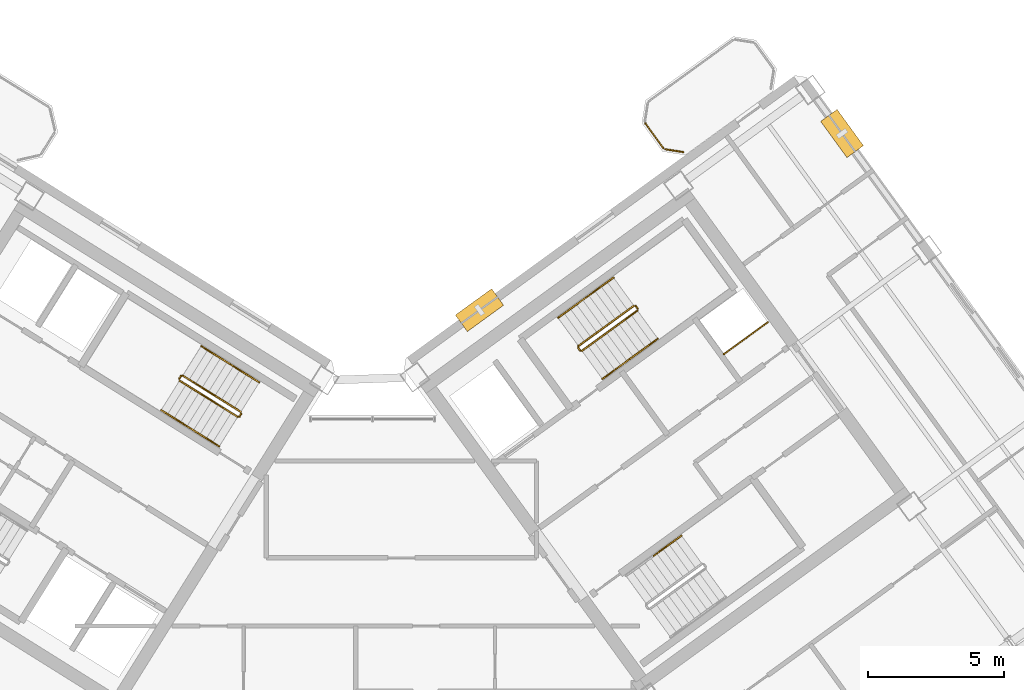
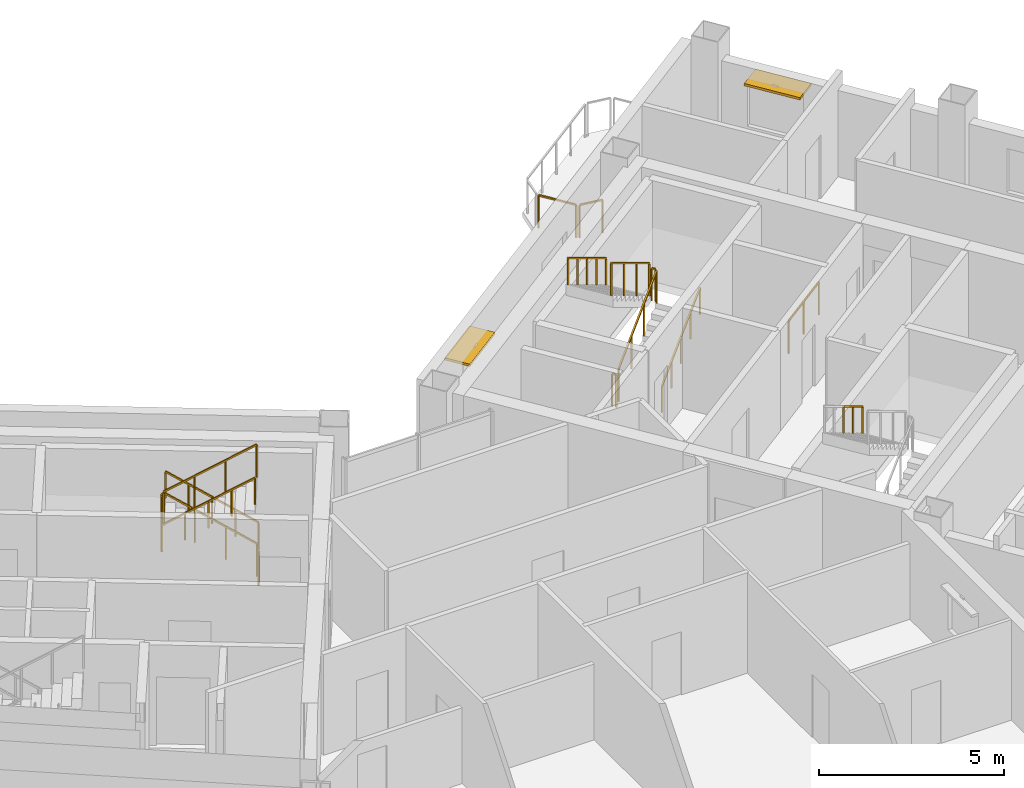
# One storey, part 26 of 27: 20 railings, 2 shading devices.
"""IFC4 building model written with IfcOpenShell, lengths in metres."""

import ifcopenshell
import ifcopenshell.guid

model = None  # the IFC model being written
_history = None  # IfcOwnerHistory: only IFC2X3 demands one
_inside = {}  # id of a spatial element -> (the spatial element, [elements in it])
_under = {}  # id of a project, library or spatial element -> (it, [spatial elements below it])
_declared = {}  # id of a project -> (the project, [libraries it declares])
_typed = {}  # id of a type object -> (the type object, [elements of that type])
_made_of = {}  # id of a material, layer set ... -> (it, [elements and type objects made of it])


def new_model(schema):
    """Start an empty IFC model of exactly this schema.

    Asked for "IFC4X3", IfcOpenShell would pick the latest addendum, in which some entities
    have other attributes; the version numbers below select the first issue.
    IFC2X3 requires an IfcOwnerHistory on every rooted entity: one is made here for all.
    """
    global model, _history
    if schema == "IFC4X3":
        model = ifcopenshell.file(schema_version=(4, 3, 0, 0))
    else:
        model = ifcopenshell.file(schema=schema)
    _inside.clear()
    _under.clear()
    _declared.clear()
    _typed.clear()
    _made_of.clear()
    _history = None
    if model.schema == "IFC2X3":
        org = make("IfcOrganization", Name="unknown")
        user = make(
            "IfcPersonAndOrganization",
            ThePerson=make("IfcPerson", FamilyName="unknown"),
            TheOrganization=org,
        )
        app = make(
            "IfcApplication",
            ApplicationDeveloper=org,
            Version="unknown",
            ApplicationFullName="unknown",
            ApplicationIdentifier="unknown",
        )
        _history = make(
            "IfcOwnerHistory",
            OwningUser=user,
            OwningApplication=app,
            ChangeAction="ADDED",
            CreationDate=0,
        )
    return model


def make(cls, **values):
    """One entity of the class cls with the attributes given. An attribute that is None is left unset."""
    return model.create_entity(
        cls, **{name: value for name, value in values.items() if value is not None}
    )


def rooted(cls, **values):
    """An entity with a GlobalId (a new one), such as an element, a storey or a relation."""
    return make(cls, GlobalId=ifcopenshell.guid.new(), OwnerHistory=_history, **values)


def si_unit(unit_type, name, prefix=None):
    """IfcSIUnit, for example si_unit("LENGTHUNIT", "METRE", prefix="MILLI")."""
    return make("IfcSIUnit", UnitType=unit_type, Prefix=prefix, Name=name)


def assignment(units):
    """IfcUnitAssignment: the units of a project."""
    return None if units is None else make("IfcUnitAssignment", Units=units)


def point(xyz):
    """IfcCartesianPoint."""
    return None if xyz is None else make("IfcCartesianPoint", Coordinates=xyz)


def direction(xyz):
    """IfcDirection."""
    return None if xyz is None else make("IfcDirection", DirectionRatios=xyz)


def frame(location, z_axis=None, x_axis=None):
    """IfcAxis2Placement3D, a coordinate frame: its origin and axes. An axis left out is left unset."""
    return make(
        "IfcAxis2Placement3D",
        Location=point(location),
        Axis=direction(z_axis),
        RefDirection=direction(x_axis),
    )


def frame_2d(location, x_axis=None):
    """IfcAxis2Placement2D, a coordinate frame in the plane: its origin and x axis."""
    return make(
        "IfcAxis2Placement2D", Location=point(location), RefDirection=direction(x_axis)
    )


def origin():
    """The frame at (0, 0, 0) with its axes left unset."""
    return frame((0.0, 0.0, 0.0))


def origin_2d():
    """The frame at (0, 0) in the plane with its x axis left unset."""
    return frame_2d((0.0, 0.0))


def place(relative_to, where):
    """IfcLocalPlacement: puts the frame where relative to a parent placement (None: the world)."""
    return make(
        "IfcLocalPlacement", PlacementRelTo=relative_to, RelativePlacement=where
    )


def context(
    kind, dimensions, precision=None, world=None, true_north=None, identifier=None
):
    """IfcGeometricRepresentationContext, for example the 3D "Model" context."""
    return make(
        "IfcGeometricRepresentationContext",
        ContextIdentifier=identifier,
        ContextType=kind,
        CoordinateSpaceDimension=dimensions,
        Precision=precision,
        WorldCoordinateSystem=world,
        TrueNorth=true_north,
    )


def subcontext(parent, identifier, kind, view, scale=None):
    """IfcGeometricRepresentationSubContext, for example "Body" below "Model"."""
    return make(
        "IfcGeometricRepresentationSubContext",
        ContextIdentifier=identifier,
        ContextType=kind,
        ParentContext=parent,
        TargetScale=scale,
        TargetView=view,
    )


def project(units=None, contexts=None):
    """IfcProject with its units and contexts."""
    return rooted(
        "IfcProject",
        Name="project",
        RepresentationContexts=contexts,
        UnitsInContext=assignment(units),
    )


def spatial(cls, under=None, at=None, **own):
    """A site, building, storey or space (cls), placed at a placement, below another one or the project."""
    s = rooted(cls, ObjectPlacement=at, **own)
    if under is not None:
        _under.setdefault(under.id(), (under, []))[1].append(s)
    return s


def profile(cls, at=None, kind="AREA", **sizes):
    """A parametric profile (cls). Its sizes go by their IFC names, for example OverallWidth=200.0."""
    return make(cls, ProfileType=kind, Position=at, **sizes)


def rectangle(**sizes):
    """IfcRectangleProfileDef."""
    return profile("IfcRectangleProfileDef", **sizes)


def extrude(swept, where, along, depth):
    """IfcExtrudedAreaSolid: the profile swept, set in the frame where, extruded along a direction by depth."""
    return make(
        "IfcExtrudedAreaSolid",
        SweptArea=swept,
        Position=where,
        ExtrudedDirection=direction(along),
        Depth=depth,
    )


def shape(context_of_items, identifier, shape_type, items):
    """IfcShapeRepresentation: the items that make up one representation, for example the "Body"."""
    return make(
        "IfcShapeRepresentation",
        ContextOfItems=context_of_items,
        RepresentationIdentifier=identifier,
        RepresentationType=shape_type,
        Items=items,
    )


def source(mapping_origin, context_of_items, identifier, shape_type, items):
    """IfcRepresentationMap: a shape defined once, which mapped items show again and again."""
    return make(
        "IfcRepresentationMap",
        MappingOrigin=mapping_origin,
        MappedRepresentation=shape(context_of_items, identifier, shape_type, items),
    )


def transform(
    local_origin,
    x_axis=None,
    y_axis=None,
    z_axis=None,
    scale=None,
    scale2=None,
    scale3=None,
    uniform=True,
):
    """IfcCartesianTransformationOperator3D, or its non-uniform kind. x_axis, y_axis, z_axis: its Axis1, 2, 3."""
    if uniform:
        return make(
            "IfcCartesianTransformationOperator3D",
            Axis1=direction(x_axis),
            Axis2=direction(y_axis),
            LocalOrigin=point(local_origin),
            Scale=scale,
            Axis3=direction(z_axis),
        )
    return make(
        "IfcCartesianTransformationOperator3DnonUniform",
        Axis1=direction(x_axis),
        Axis2=direction(y_axis),
        LocalOrigin=point(local_origin),
        Scale=scale,
        Axis3=direction(z_axis),
        Scale2=scale2,
        Scale3=scale3,
    )


def mapped(mapping_source, mapping_target):
    """IfcMappedItem: shows the shape of a source again, moved by a transform."""
    return make(
        "IfcMappedItem", MappingSource=mapping_source, MappingTarget=mapping_target
    )


def material(Name=None, Category=None):
    """IfcMaterial."""
    return make("IfcMaterial", Name=Name, Category=Category)


def layer(
    of_material, thickness, ventilated=None, Name=None, Category=None, Priority=None
):
    """IfcMaterialLayer: one layer of a wall or slab, of a material (None: an air gap)."""
    return make(
        "IfcMaterialLayer",
        Material=of_material,
        LayerThickness=thickness,
        IsVentilated=ventilated,
        Name=Name,
        Category=Category,
        Priority=Priority,
    )


def layer_set(layers, Name=None):
    """IfcMaterialLayerSet."""
    return make("IfcMaterialLayerSet", MaterialLayers=layers, LayerSetName=Name)


def made_of(thing, what):
    """Note that an element or type object is made of a material, layer set ...; save() writes the relation."""
    if what is not None:
        _made_of.setdefault(what.id(), (what, []))[1].append(thing)
    return thing


def type_object(cls, material=None, **own):
    """A type object (cls), such as IfcWallType, which elements share."""
    return made_of(rooted(cls, **own), material)


def element(
    cls,
    number,
    at=None,
    inside=None,
    cuts=None,
    type_object=None,
    material=None,
    context=None,
    identifier="Body",
    shape_type=None,
    held_by="IfcProductDefinitionShape",
    body=None,
    shapes=None,
    **own,
):
    """One element of the class cls, such as IfcWall. Its Tag is "e" and its number.

    at: its placement. inside: the storey or other place that contains it. cuts: it is an
    opening in that element (IfcRelVoidsElement). A single representation is given by context,
    identifier, shape_type and body (its items); several are given by shapes. held_by: the class
    of the entity that holds the representations. save() writes the other relations.
    """
    e = rooted(cls, Tag="e%d" % number, ObjectPlacement=at, **own)
    if body is not None:
        shapes = [shape(context, identifier, shape_type, body)]
    if shapes is not None:
        e.Representation = make(held_by, Representations=shapes)
    if inside is not None:
        _inside.setdefault(inside.id(), (inside, []))[1].append(e)
    if cuts is not None:
        rooted(
            "IfcRelVoidsElement", RelatingBuildingElement=cuts, RelatedOpeningElement=e
        )
    if type_object is not None:
        _typed.setdefault(type_object.id(), (type_object, []))[1].append(e)
    return made_of(e, material)


def aggregate(whole, parts):
    """IfcRelAggregates: a whole, such as a stair, and the parts it consists of."""
    return rooted("IfcRelAggregates", RelatingObject=whole, RelatedObjects=parts)


def save(model, path):
    """Write the relations noted so far, then the file.

    IfcRelAggregates (storeys below a building ...), IfcRelContainedInSpatialStructure (elements
    in a storey), IfcRelDefinesByType, IfcRelAssociatesMaterial and IfcRelDeclares: one each for
    every whole, place, type object, material and project.
    """
    for whole, parts in _under.values():
        aggregate(whole, parts)
    for where, things in _inside.values():
        rooted(
            "IfcRelContainedInSpatialStructure",
            RelatedElements=things,
            RelatingStructure=where,
        )
    for kind, things in _typed.values():
        rooted("IfcRelDefinesByType", RelatedObjects=things, RelatingType=kind)
    for what, things in _made_of.values():
        rooted("IfcRelAssociatesMaterial", RelatedObjects=things, RelatingMaterial=what)
    for by, libraries in _declared.values():
        rooted("IfcRelDeclares", RelatingContext=by, RelatedDefinitions=libraries)
    model.write(path)


model = new_model("IFC4")

# Units and contexts
model_context = context("Model", 3, precision=1e-05, world=origin(), true_north=direction((0.0, 1.0)))
body_context = subcontext(model_context, "Body", "Model", "MODEL_VIEW")
ifc_project = project(units=[si_unit("LENGTHUNIT", "METRE"), si_unit("AREAUNIT", "SQUARE_METRE"), si_unit("VOLUMEUNIT", "CUBIC_METRE"), si_unit("PLANEANGLEUNIT", "RADIAN"), si_unit("MASSUNIT", "GRAM", prefix="KILO")], contexts=[model_context])

# Site, building, storey
site_placement = place(None, origin())
site = spatial("IfcSite", under=ifc_project, at=site_placement, CompositionType="ELEMENT")
building_placement = place(site_placement, origin())
building = spatial("IfcBuilding", under=site, at=building_placement, Name="Tlacorven Tower", CompositionType="ELEMENT")
storey_placement = place(building_placement, frame((0.0, 0.0, 242.10009765625)))
storey = spatial("IfcBuildingStorey", under=building, at=storey_placement, Name="L61", CompositionType="ELEMENT", Elevation=242.10009765625)

# Railings
ifc_material_1 = material(Name="Aluminium and painted steel balustrade", Category="steel")
railing_type_1 = type_object("IfcRailingType", Name="RL-GRD-1100", PredefinedType="GUARDRAIL", material=ifc_material_1)
shared_shape_1 = source(origin(), body_context, "Body", "SweptSolid", [
    extrude(rectangle(XDim=0.048095703125, YDim=0.048095703125, at=origin_2d()), frame((0.0, 0.0, 1.076171875), z_axis=(0.808947177504, 0.587881334972, 0.0), x_axis=(-0.587881334972, 0.808947177504, 0.0)), (0.0, 0.0, 1.0), 2.0),
    extrude(rectangle(XDim=0.0419921875, YDim=0.0419921875, at=origin_2d()), origin(), (0.0, 0.0, 1.0), 1.052001953125),
    extrude(rectangle(XDim=0.0419921875, YDim=0.0419921875, at=origin_2d()), frame((0.80908203125, 0.587890625, 0.0)), (0.0, 0.0, 1.0), 1.052001953125),
    extrude(rectangle(XDim=0.0419921875, YDim=0.0419921875, at=origin_2d()), frame((1.617919921875, 1.17578125, 0.0)), (0.0, 0.0, 1.0), 1.052001953125),
])
railing_1_placement = place(storey_placement, frame((55.506103515625, 25.438232421875, 0.0)))
element("IfcRailing", 1, at=railing_1_placement, inside=storey, type_object=railing_type_1, Name="L61 Electrical Riser E Shaft Guard 1", PredefinedType="GUARDRAIL", context=body_context, shape_type="MappedRepresentation", body=[
    mapped(shared_shape_1, transform((0.0, 0.0, 0.0), scale=1.0)),
])
railing_type_2 = type_object("IfcRailingType", Name="RL-BAL-1100", PredefinedType="BALUSTRADE", material=ifc_material_1)
shared_shape_2 = source(origin(), body_context, "Body", "SweptSolid", [
    extrude(rectangle(XDim=0.048095703125, YDim=0.048095703125, at=origin_2d()), frame((0.0, 0.0, 1.076171875), z_axis=(-0.987718317463, 0.156245081039, 0.0), x_axis=(-0.156245081039, -0.987718317463, 0.0)), (0.0, 0.0, 1.0), 0.66552734375),
    extrude(rectangle(XDim=0.0419921875, YDim=0.0419921875, at=origin_2d()), origin(), (0.0, 0.0, 1.0), 1.052001953125),
    extrude(rectangle(XDim=0.0419921875, YDim=0.0419921875, at=origin_2d()), frame((-0.657470703125, 0.10400390625, 0.0)), (0.0, 0.0, 1.0), 1.052001953125),
])
railing_2_placement = place(storey_placement, frame((54.00341796875, 32.8759765625, 0.0)))
element("IfcRailing", 2, at=railing_2_placement, inside=storey, type_object=railing_type_2, Name="BAL-L61-E-IN Guard Railing 1", PredefinedType="BALUSTRADE", context=body_context, shape_type="MappedRepresentation", body=[
    mapped(shared_shape_2, transform((0.0, 0.0, 0.0), scale=1.0)),
])
shared_shape_3 = source(origin(), body_context, "Body", "SweptSolid", [
    extrude(rectangle(XDim=0.048095703125, YDim=0.048095703125, at=origin_2d()), frame((0.0, 0.0, 1.076171875), z_axis=(-0.587740817519, 0.809049276263, 0.0), x_axis=(-0.809049276263, -0.587740817519, 0.0)), (0.0, 0.0, 1.0), 1.112060546875),
    extrude(rectangle(XDim=0.0419921875, YDim=0.0419921875, at=origin_2d()), origin(), (0.0, 0.0, 1.0), 1.052001953125),
    extrude(rectangle(XDim=0.0419921875, YDim=0.0419921875, at=origin_2d()), frame((-0.653564453125, 0.899658203125, 0.0)), (0.0, 0.0, 1.0), 1.052001953125),
])
railing_3_placement = place(storey_placement, frame((53.26708984375, 33.0283203125, 0.0)))
element("IfcRailing", 3, at=railing_3_placement, inside=storey, type_object=railing_type_2, Name="BAL-L61-E-IN Guard Railing 2", PredefinedType="BALUSTRADE", context=body_context, shape_type="MappedRepresentation", body=[
    mapped(shared_shape_3, transform((0.0, 0.0, 0.0), scale=1.0)),
])

# Shading devices
ifc_material_2 = material(Name="Anodised bronze aluminium sunshade", Category="aluminium")
ifc_layer = layer(ifc_material_2, 0.080078125)
ifc_layer_set = layer_set([ifc_layer], Name="Anodised bronze aluminium sunshade")
shading_device_type = type_object("IfcShadingDeviceType", Name="SH-SUN-BRZ", PredefinedType="AWNING", material=ifc_layer_set)
shared_shape_4 = source(origin(), body_context, "Body", "SweptSolid", [
    extrude(rectangle(XDim=1.64990234375, YDim=0.75, at=origin_2d()), origin(), (0.0, 0.0, 1.0), 0.080078125),
])
for number, where, z_axis, x_axis, name in (
    (4, (46.50146484375, 27.05419921875, 2.369873046875), (0.0, 0.0, 1.0), (0.809017097486, 0.587785110372, 0.0), "L61 Solar Brise-Soleil Sunshade L61-04.1"),
    (5, (59.852783203125, 33.559326171875, 2.369873046875), (0.0, 0.0, 1.0), (0.587785363163, -0.809016913823, 0.0), "L61 Solar Brise-Soleil Sunshade L61-05.1"),
):
    element("IfcShadingDevice", number, at=place(storey_placement, frame(where, z_axis=z_axis, x_axis=x_axis)), inside=storey, type_object=shading_device_type, Name=name, PredefinedType="AWNING", context=body_context, shape_type="MappedRepresentation", body=[
        mapped(shared_shape_4, transform((0.0, 0.0, 0.0), scale=1.0)),
    ])

# Railings
shared_shape_5 = source(origin(), body_context, "Body", "SweptSolid", [
    extrude(rectangle(XDim=0.048095703125, YDim=0.048095703125, at=origin_2d()), frame((0.0, 0.0, 1.076171875), z_axis=(-0.530546985787, -0.847655529016, 0.0), x_axis=(0.847655529016, -0.530546985787, 0.0)), (0.0, 0.0, 1.0), 0.1201171875),
    extrude(rectangle(XDim=0.0419921875, YDim=0.0419921875, at=origin_2d()), origin(), (0.0, 0.0, 1.0), 1.052001953125),
    extrude(rectangle(XDim=0.0419921875, YDim=0.0419921875, at=origin_2d()), frame((-0.063720703125, -0.101806640625, 0.0)), (0.0, 0.0, 1.0), 1.052001953125),
])
railing_4_placement = place(storey_placement, frame((37.728271484375, 23.24072265625, 0.0)))
element("IfcRailing", 6, at=railing_4_placement, inside=storey, type_object=railing_type_1, Name="L61 ST-W2 stair guard 4", PredefinedType="GUARDRAIL", context=body_context, shape_type="MappedRepresentation", body=[
    mapped(shared_shape_5, transform((0.0, 0.0, 0.0), scale=1.0)),
])
railing_type_3 = type_object("IfcRailingType", Name="RL-HND-0900", PredefinedType="HANDRAIL", material=ifc_material_1)
shared_shape_6 = source(origin(), body_context, "Body", "SweptSolid", [
    extrude(rectangle(XDim=0.048095703125, YDim=0.048095703125, at=origin_2d()), frame((0.0, 0.0, 0.8759765625), z_axis=(-0.713359751793, 0.4457479829, 0.540764828981), x_axis=(-0.529911857636, -0.848052724267, 0.0)), (0.0, 0.0, 1.0), 1.498046875),
    extrude(rectangle(XDim=0.0419921875, YDim=0.0419921875, at=origin_2d()), origin(), (0.0, 0.0, 1.0), 0.851806640625),
    extrude(rectangle(XDim=0.0419921875, YDim=0.0419921875, at=origin_2d()), frame((-0.5341796875, 0.333984375, 0.405029296875)), (0.0, 0.0, 1.0), 0.851806640625),
    extrude(rectangle(XDim=0.0419921875, YDim=0.0419921875, at=origin_2d()), frame((-1.068603515625, 0.667724609375, 0.81005859375)), (0.0, 0.0, 1.0), 0.851806640625),
])
railing_5_placement = place(storey_placement, frame((38.390625, 24.39501953125, 0.179931640625)))
element("IfcRailing", 7, at=railing_5_placement, inside=storey, type_object=railing_type_3, Name="L61 ST-W2 stair handrail 1", PredefinedType="HANDRAIL", context=body_context, shape_type="MappedRepresentation", body=[
    mapped(shared_shape_6, transform((0.0, 0.0, 0.0), scale=1.0)),
])
shared_shape_7 = source(origin(), body_context, "Body", "SweptSolid", [
    extrude(rectangle(XDim=0.048095703125, YDim=0.048095703125, at=origin_2d()), frame((0.0, 0.0, 0.8759765625), z_axis=(0.713359751793, -0.4457479829, 0.540764828981), x_axis=(0.529911857636, 0.848052724267, 0.0)), (0.0, 0.0, 1.0), 1.498046875),
    extrude(rectangle(XDim=0.0419921875, YDim=0.0419921875, at=origin_2d()), origin(), (0.0, 0.0, 1.0), 0.851806640625),
    extrude(rectangle(XDim=0.0419921875, YDim=0.0419921875, at=origin_2d()), frame((0.5341796875, -0.333984375, 0.405029296875)), (0.0, 0.0, 1.0), 0.851806640625),
    extrude(rectangle(XDim=0.0419921875, YDim=0.0419921875, at=origin_2d()), frame((1.068603515625, -0.667724609375, 0.81005859375)), (0.0, 0.0, 1.0), 0.851806640625),
])
railing_6_placement = place(storey_placement, frame((35.848876953125, 22.705078125, 2.789794921875)))
element("IfcRailing", 8, at=railing_6_placement, inside=storey, type_object=railing_type_3, Name="L61 ST-W2 stair handrail 4", PredefinedType="HANDRAIL", context=body_context, shape_type="MappedRepresentation", body=[
    mapped(shared_shape_7, transform((0.0, 0.0, 0.0), scale=1.0)),
])
shared_shape_8 = source(origin(), body_context, "Body", "SweptSolid", [
    extrude(rectangle(XDim=0.048095703125, YDim=0.048095703125, at=origin_2d()), frame((0.0, 0.0, 1.076171875), z_axis=(-0.713351164325, 0.445793541512, 0.540738601085), x_axis=(-0.529955395941, -0.84802551749, 0.0)), (0.0, 0.0, 1.0), 2.99560546875),
    extrude(rectangle(XDim=0.0419921875, YDim=0.0419921875, at=origin_2d()), origin(), (0.0, 0.0, 1.0), 1.052001953125),
    extrude(rectangle(XDim=0.0419921875, YDim=0.0419921875, at=origin_2d()), frame((-0.71240234375, 0.445068359375, 0.5400390625)), (0.0, 0.0, 1.0), 1.052001953125),
    extrude(rectangle(XDim=0.0419921875, YDim=0.0419921875, at=origin_2d()), frame((-1.424560546875, 0.890380859375, 1.079833984375)), (0.0, 0.0, 1.0), 1.052001953125),
    extrude(rectangle(XDim=0.0419921875, YDim=0.0419921875, at=origin_2d()), frame((-2.136962890625, 1.33544921875, 1.619873046875)), (0.0, 0.0, 1.0), 1.052001953125),
])
railing_7_placement = place(storey_placement, frame((37.712158203125, 23.3095703125, 0.179931640625)))
element("IfcRailing", 9, at=railing_7_placement, inside=storey, type_object=railing_type_1, Name="L61 ST-W2 stair guard 1", PredefinedType="GUARDRAIL", context=body_context, shape_type="MappedRepresentation", body=[
    mapped(shared_shape_8, transform((0.0, 0.0, 0.0), scale=1.0)),
])
shared_shape_9 = source(origin(), body_context, "Body", "SweptSolid", [
    extrude(rectangle(XDim=0.048095703125, YDim=0.048095703125, at=origin_2d()), frame((0.0, 0.0, 0.8759765625), z_axis=(-0.713422621445, 0.445787267455, 0.540649494022), x_axis=(-0.529911857636, -0.848052724267, 0.0)), (0.0, 0.0, 1.0), 1.497802734375),
    extrude(rectangle(XDim=0.0419921875, YDim=0.0419921875, at=origin_2d()), origin(), (0.0, 0.0, 1.0), 0.851806640625),
    extrude(rectangle(XDim=0.0419921875, YDim=0.0419921875, at=origin_2d()), frame((-0.5341796875, 0.333984375, 0.40478515625)), (0.0, 0.0, 1.0), 0.851806640625),
    extrude(rectangle(XDim=0.0419921875, YDim=0.0419921875, at=origin_2d()), frame((-1.068603515625, 0.667724609375, 0.809814453125)), (0.0, 0.0, 1.0), 0.851806640625),
])
railing_8_placement = place(storey_placement, frame((37.322021484375, 25.062744140625, 0.989990234375)))
element("IfcRailing", 10, at=railing_8_placement, inside=storey, type_object=railing_type_3, Name="L61 ST-W2 stair handrail 2", PredefinedType="HANDRAIL", context=body_context, shape_type="MappedRepresentation", body=[
    mapped(shared_shape_9, transform((0.0, 0.0, 0.0), scale=1.0)),
])
shared_shape_10 = source(origin(), body_context, "Body", "SweptSolid", [
    extrude(rectangle(XDim=0.048095703125, YDim=0.048095703125, at=origin_2d()), frame((0.0, 0.0, 0.8759765625), z_axis=(0.713422621445, -0.445787267455, 0.540649494022), x_axis=(0.529911857636, 0.848052724267, 0.0)), (0.0, 0.0, 1.0), 1.497802734375),
    extrude(rectangle(XDim=0.0419921875, YDim=0.0419921875, at=origin_2d()), origin(), (0.0, 0.0, 1.0), 0.851806640625),
    extrude(rectangle(XDim=0.0419921875, YDim=0.0419921875, at=origin_2d()), frame((0.5341796875, -0.333984375, 0.40478515625)), (0.0, 0.0, 1.0), 0.851806640625),
    extrude(rectangle(XDim=0.0419921875, YDim=0.0419921875, at=origin_2d()), frame((1.068603515625, -0.667724609375, 0.809814453125)), (0.0, 0.0, 1.0), 0.851806640625),
])
railing_9_placement = place(storey_placement, frame((34.7802734375, 23.372802734375, 1.97998046875)))
element("IfcRailing", 11, at=railing_9_placement, inside=storey, type_object=railing_type_3, Name="L61 ST-W2 stair handrail 3", PredefinedType="HANDRAIL", context=body_context, shape_type="MappedRepresentation", body=[
    mapped(shared_shape_10, transform((0.0, 0.0, 0.0), scale=1.0)),
])
shared_shape_11 = source(origin(), body_context, "Body", "SweptSolid", [
    extrude(rectangle(XDim=0.048095703125, YDim=0.048095703125, at=origin_2d()), frame((0.0, 0.0, 1.076171875), z_axis=(-0.531462422766, -0.847081869236, 0.0), x_axis=(0.847081869236, -0.531462422766, 0.0)), (0.0, 0.0, 1.0), 0.119873046875),
    extrude(rectangle(XDim=0.0419921875, YDim=0.0419921875, at=origin_2d()), origin(), (0.0, 0.0, 1.0), 1.052001953125),
    extrude(rectangle(XDim=0.0419921875, YDim=0.0419921875, at=origin_2d()), frame((-0.063720703125, -0.1015625, 0.0)), (0.0, 0.0, 1.0), 1.052001953125),
])
railing_10_placement = place(storey_placement, frame((35.50634765625, 24.62890625, 1.7998046875)))
element("IfcRailing", 12, at=railing_10_placement, inside=storey, type_object=railing_type_1, Name="L61 ST-W2 stair guard 2", PredefinedType="GUARDRAIL", context=body_context, shape_type="MappedRepresentation", body=[
    mapped(shared_shape_11, transform((0.0, 0.0, 0.0), scale=1.0)),
])
shared_shape_12 = source(origin(), body_context, "Body", "SweptSolid", [
    extrude(rectangle(XDim=0.048095703125, YDim=0.048095703125, at=origin_2d()), frame((0.0, 0.0, 1.076171875), z_axis=(0.713417101326, -0.445702322042, 0.540726806865), x_axis=(0.52984217967, 0.848096259066, 0.0)), (0.0, 0.0, 1.0), 2.995849609375),
    extrude(rectangle(XDim=0.0419921875, YDim=0.0419921875, at=origin_2d()), origin(), (0.0, 0.0, 1.0), 1.052001953125),
    extrude(rectangle(XDim=0.0419921875, YDim=0.0419921875, at=origin_2d()), frame((0.71240234375, -0.445068359375, 0.5400390625)), (0.0, 0.0, 1.0), 1.052001953125),
    extrude(rectangle(XDim=0.0419921875, YDim=0.0419921875, at=origin_2d()), frame((1.4248046875, -0.89013671875, 1.079833984375)), (0.0, 0.0, 1.0), 1.052001953125),
    extrude(rectangle(XDim=0.0419921875, YDim=0.0419921875, at=origin_2d()), frame((2.13720703125, -1.335205078125, 1.619873046875)), (0.0, 0.0, 1.0), 1.052001953125),
])
railing_11_placement = place(storey_placement, frame((35.45849609375, 24.458251953125, 1.97998046875)))
element("IfcRailing", 13, at=railing_11_placement, inside=storey, type_object=railing_type_1, Name="L61 ST-W2 stair guard 3", PredefinedType="GUARDRAIL", context=body_context, shape_type="MappedRepresentation", body=[
    mapped(shared_shape_12, transform((0.0, 0.0, 0.0), scale=1.0)),
])
shared_shape_13 = source(origin(), body_context, "Body", "SweptSolid", [
    extrude(rectangle(XDim=0.048095703125, YDim=0.048095703125, at=origin_2d()), frame((0.0, 0.0, 1.076171875), z_axis=(-0.587201422542, 0.809440849824, 0.0), x_axis=(-0.809440849824, -0.587201422542, 0.0)), (0.0, 0.0, 1.0), 0.11962890625),
    extrude(rectangle(XDim=0.0419921875, YDim=0.0419921875, at=origin_2d()), origin(), (0.0, 0.0, 1.0), 1.052001953125),
    extrude(rectangle(XDim=0.0419921875, YDim=0.0419921875, at=origin_2d()), frame((-0.0703125, 0.096923828125, 0.0)), (0.0, 0.0, 1.0), 1.052001953125),
])
for number, where, name in (
    (14, (52.326904296875, 27.10888671875, 1.7998046875), "L61 ST-E1 stair guard 2"),
    (15, (50.207275390625, 25.56884765625, 0.0), "L61 ST-E1 stair guard 4"),
):
    element("IfcRailing", number, at=place(storey_placement, frame(where)), inside=storey, type_object=railing_type_1, Name=name, PredefinedType="GUARDRAIL", context=body_context, shape_type="MappedRepresentation", body=[
        mapped(shared_shape_13, transform((0.0, 0.0, 0.0), scale=1.0)),
    ])
shared_shape_14 = source(origin(), body_context, "Body", "SweptSolid", [
    extrude(rectangle(XDim=0.048095703125, YDim=0.048095703125, at=origin_2d()), frame((0.0, 0.0, 0.8759765625), z_axis=(0.680516055757, 0.494372502302, 0.540826891737), x_axis=(-0.587745292299, 0.809046025502, 0.0)), (0.0, 0.0, 1.0), 1.497802734375),
    extrude(rectangle(XDim=0.0419921875, YDim=0.0419921875, at=origin_2d()), origin(), (0.0, 0.0, 1.0), 0.851806640625),
    extrude(rectangle(XDim=0.0419921875, YDim=0.0419921875, at=origin_2d()), frame((0.509765625, 0.3701171875, 0.405029296875)), (0.0, 0.0, 1.0), 0.851806640625),
    extrude(rectangle(XDim=0.0419921875, YDim=0.0419921875, at=origin_2d()), frame((1.019287109375, 0.740478515625, 0.81005859375)), (0.0, 0.0, 1.0), 0.851806640625),
])
railing_12_placement = place(storey_placement, frame((51.029541015625, 24.522216796875, 0.179931640625)))
element("IfcRailing", 16, at=railing_12_placement, inside=storey, type_object=railing_type_3, Name="L61 ST-E1 stair handrail 1", PredefinedType="HANDRAIL", context=body_context, shape_type="MappedRepresentation", body=[
    mapped(shared_shape_14, transform((0.0, 0.0, 0.0), scale=1.0)),
])
shared_shape_15 = source(origin(), body_context, "Body", "SweptSolid", [
    extrude(rectangle(XDim=0.048095703125, YDim=0.048095703125, at=origin_2d()), frame((0.0, 0.0, 0.8759765625), z_axis=(-0.680461216233, -0.494495647917, 0.540783309093), x_axis=(0.587872112667, -0.808953879494, 0.0)), (0.0, 0.0, 1.0), 1.498046875),
    extrude(rectangle(XDim=0.0419921875, YDim=0.0419921875, at=origin_2d()), origin(), (0.0, 0.0, 1.0), 0.851806640625),
    extrude(rectangle(XDim=0.0419921875, YDim=0.0419921875, at=origin_2d()), frame((-0.509765625, -0.370361328125, 0.405029296875)), (0.0, 0.0, 1.0), 0.851806640625),
    extrude(rectangle(XDim=0.0419921875, YDim=0.0419921875, at=origin_2d()), frame((-1.019287109375, -0.74072265625, 0.81005859375)), (0.0, 0.0, 1.0), 0.851806640625),
])
railing_13_placement = place(storey_placement, frame((50.414794921875, 27.511962890625, 2.789794921875)))
element("IfcRailing", 17, at=railing_13_placement, inside=storey, type_object=railing_type_3, Name="L61 ST-E1 stair handrail 4", PredefinedType="HANDRAIL", context=body_context, shape_type="MappedRepresentation", body=[
    mapped(shared_shape_15, transform((0.0, 0.0, 0.0), scale=1.0)),
])
shared_shape_16 = source(origin(), body_context, "Body", "SweptSolid", [
    extrude(rectangle(XDim=0.048095703125, YDim=0.048095703125, at=origin_2d()), frame((0.0, 0.0, 1.076171875), z_axis=(0.680518627673, 0.494455869951, 0.540747436481), x_axis=(-0.5878087079, 0.808999952359, 0.0)), (0.0, 0.0, 1.0), 2.99560546875),
    extrude(rectangle(XDim=0.0419921875, YDim=0.0419921875, at=origin_2d()), origin(), (0.0, 0.0, 1.0), 1.052001953125),
    extrude(rectangle(XDim=0.0419921875, YDim=0.0419921875, at=origin_2d()), frame((0.679443359375, 0.49365234375, 0.5400390625)), (0.0, 0.0, 1.0), 1.052001953125),
    extrude(rectangle(XDim=0.0419921875, YDim=0.0419921875, at=origin_2d()), frame((1.359130859375, 0.987548828125, 1.079833984375)), (0.0, 0.0, 1.0), 1.052001953125),
    extrude(rectangle(XDim=0.0419921875, YDim=0.0419921875, at=origin_2d()), frame((2.03857421875, 1.481201171875, 1.619873046875)), (0.0, 0.0, 1.0), 1.052001953125),
])
railing_14_placement = place(storey_placement, frame((50.27734375, 25.557861328125, 0.179931640625)))
element("IfcRailing", 18, at=railing_14_placement, inside=storey, type_object=railing_type_1, Name="L61 ST-E1 stair guard 1", PredefinedType="GUARDRAIL", context=body_context, shape_type="MappedRepresentation", body=[
    mapped(shared_shape_16, transform((0.0, 0.0, 0.0), scale=1.0)),
])
shared_shape_17 = source(origin(), body_context, "Body", "SweptSolid", [
    extrude(rectangle(XDim=0.048095703125, YDim=0.048095703125, at=origin_2d()), frame((0.0, 0.0, 1.076171875), z_axis=(-0.680518627673, -0.494455869951, 0.540747436481), x_axis=(0.5878087079, -0.808999952359, 0.0)), (0.0, 0.0, 1.0), 2.99560546875),
    extrude(rectangle(XDim=0.0419921875, YDim=0.0419921875, at=origin_2d()), origin(), (0.0, 0.0, 1.0), 1.052001953125),
    extrude(rectangle(XDim=0.0419921875, YDim=0.0419921875, at=origin_2d()), frame((-0.679443359375, -0.49365234375, 0.5400390625)), (0.0, 0.0, 1.0), 1.052001953125),
    extrude(rectangle(XDim=0.0419921875, YDim=0.0419921875, at=origin_2d()), frame((-1.359130859375, -0.987548828125, 1.079833984375)), (0.0, 0.0, 1.0), 1.052001953125),
    extrude(rectangle(XDim=0.0419921875, YDim=0.0419921875, at=origin_2d()), frame((-2.03857421875, -1.481201171875, 1.619873046875)), (0.0, 0.0, 1.0), 1.052001953125),
])
railing_15_placement = place(storey_placement, frame((52.1865234375, 27.217041015625, 1.97998046875)))
element("IfcRailing", 19, at=railing_15_placement, inside=storey, type_object=railing_type_1, Name="L61 ST-E1 stair guard 3", PredefinedType="GUARDRAIL", context=body_context, shape_type="MappedRepresentation", body=[
    mapped(shared_shape_17, transform((0.0, 0.0, 0.0), scale=1.0)),
])
shared_shape_18 = source(origin(), body_context, "Body", "SweptSolid", [
    extrude(rectangle(XDim=0.048095703125, YDim=0.048095703125, at=origin_2d()), frame((0.0, 0.0, 0.8759765625), z_axis=(0.680608688748, 0.494484377792, 0.540608003012), x_axis=(-0.587779977844, 0.80902082646, 0.0)), (0.0, 0.0, 1.0), 1.498046875),
    extrude(rectangle(XDim=0.0419921875, YDim=0.0419921875, at=origin_2d()), origin(), (0.0, 0.0, 1.0), 0.851806640625),
    extrude(rectangle(XDim=0.0419921875, YDim=0.0419921875, at=origin_2d()), frame((0.509765625, 0.370361328125, 0.40478515625)), (0.0, 0.0, 1.0), 0.851806640625),
    extrude(rectangle(XDim=0.0419921875, YDim=0.0419921875, at=origin_2d()), frame((1.01953125, 0.74072265625, 0.809814453125)), (0.0, 0.0, 1.0), 0.851806640625),
])
railing_16_placement = place(storey_placement, frame((52.048828125, 25.2626953125, 0.989990234375)))
element("IfcRailing", 20, at=railing_16_placement, inside=storey, type_object=railing_type_3, Name="L61 ST-E1 stair handrail 2", PredefinedType="HANDRAIL", context=body_context, shape_type="MappedRepresentation", body=[
    mapped(shared_shape_18, transform((0.0, 0.0, 0.0), scale=1.0)),
])
shared_shape_19 = source(origin(), body_context, "Body", "SweptSolid", [
    extrude(rectangle(XDim=0.048095703125, YDim=0.048095703125, at=origin_2d()), frame((0.0, 0.0, 0.8759765625), z_axis=(-0.680663537655, -0.494361233168, 0.540651569541), x_axis=(0.587653156371, -0.809112951205, 0.0)), (0.0, 0.0, 1.0), 1.497802734375),
    extrude(rectangle(XDim=0.0419921875, YDim=0.0419921875, at=origin_2d()), origin(), (0.0, 0.0, 1.0), 0.851806640625),
    extrude(rectangle(XDim=0.0419921875, YDim=0.0419921875, at=origin_2d()), frame((-0.509765625, -0.3701171875, 0.40478515625)), (0.0, 0.0, 1.0), 0.851806640625),
    extrude(rectangle(XDim=0.0419921875, YDim=0.0419921875, at=origin_2d()), frame((-1.01953125, -0.740478515625, 0.809814453125)), (0.0, 0.0, 1.0), 0.851806640625),
])
railing_17_placement = place(storey_placement, frame((51.434326171875, 28.25244140625, 1.97998046875)))
element("IfcRailing", 21, at=railing_17_placement, inside=storey, type_object=railing_type_3, Name="L61 ST-E1 stair handrail 3", PredefinedType="HANDRAIL", context=body_context, shape_type="MappedRepresentation", body=[
    mapped(shared_shape_19, transform((0.0, 0.0, 0.0), scale=1.0)),
])
shared_shape_20 = source(origin(), body_context, "Body", "SweptSolid", [
    extrude(rectangle(XDim=0.048095703125, YDim=0.048095703125, at=origin_2d()), frame((0.0, 0.0, 0.8759765625), z_axis=(-0.680576044605, -0.494416082224, 0.54071155448), x_axis=(0.587745292299, -0.809046025502, 0.0)), (0.0, 0.0, 1.0), 1.497802734375),
    extrude(rectangle(XDim=0.0419921875, YDim=0.0419921875, at=origin_2d()), origin(), (0.0, 0.0, 1.0), 0.851806640625),
    extrude(rectangle(XDim=0.0419921875, YDim=0.0419921875, at=origin_2d()), frame((-0.509765625, -0.3701171875, 0.40478515625)), (0.0, 0.0, 1.0), 0.851806640625),
    extrude(rectangle(XDim=0.0419921875, YDim=0.0419921875, at=origin_2d()), frame((-1.019287109375, -0.740478515625, 0.809814453125)), (0.0, 0.0, 1.0), 0.851806640625),
])
railing_18_placement = place(storey_placement, frame((53.938232421875, 18.749267578125, 1.97998046875)))
element("IfcRailing", 22, at=railing_18_placement, inside=storey, type_object=railing_type_3, Name="L61 ST-E2 stair handrail 3", PredefinedType="HANDRAIL", context=body_context, shape_type="MappedRepresentation", body=[
    mapped(shared_shape_20, transform((0.0, 0.0, 0.0), scale=1.0)),
])

save(model, "model.ifc")
